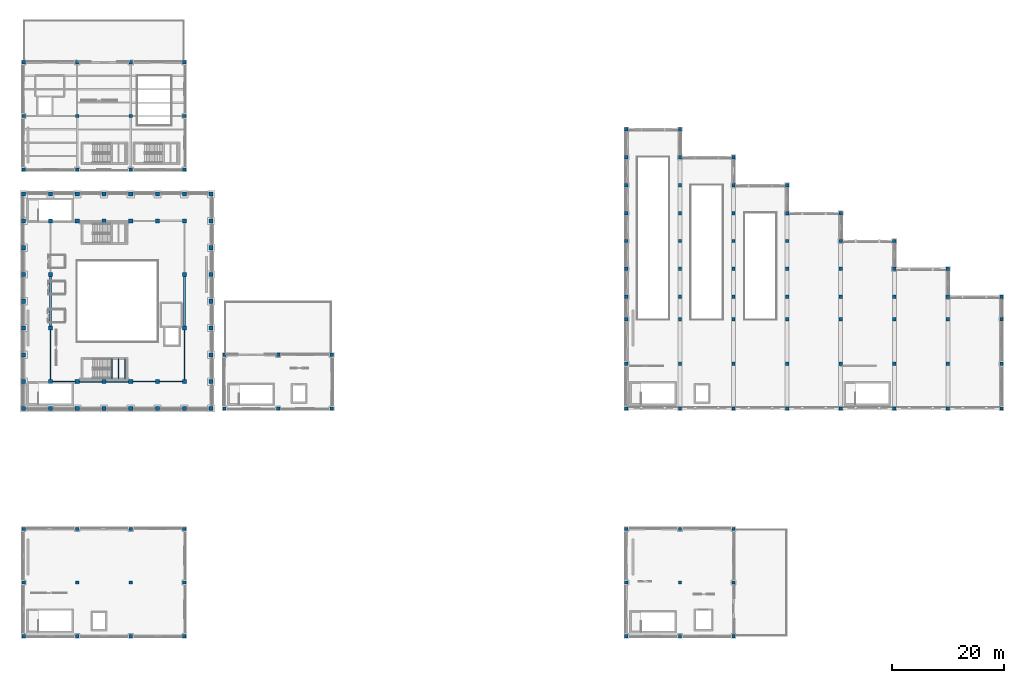
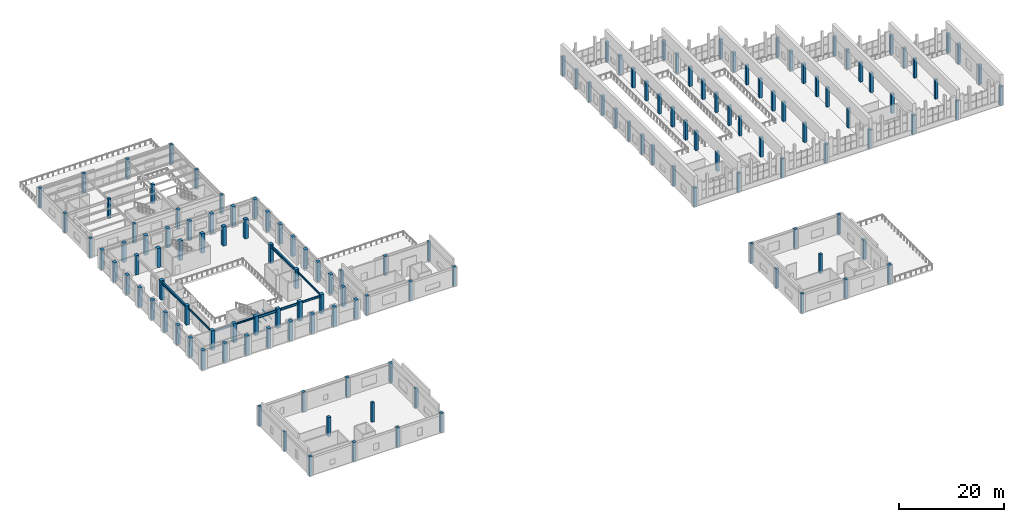
# One storey, part 1 of 46: 144 columns, 12 beams.
"""IFC4 building model written with IfcOpenShell, lengths in metres."""

from ifc_helpers import new_model, si_unit, direction, frame, origin, origin_2d, place, context, subcontext, project, spatial, rectangle, i_section, extrude, material, material_profile, profile_set, type_object, element, save


model = new_model("IFC4")

# Units and contexts
model_context = context("Model", 3, precision=1e-05, world=origin(), true_north=direction((0.0, 1.0)))
body_context = subcontext(model_context, "Body", "Model", "MODEL_VIEW")
ifc_project = project(units=[si_unit("LENGTHUNIT", "METRE"), si_unit("AREAUNIT", "SQUARE_METRE"), si_unit("VOLUMEUNIT", "CUBIC_METRE"), si_unit("PLANEANGLEUNIT", "RADIAN"), si_unit("MASSUNIT", "GRAM", prefix="KILO")], contexts=[model_context])

# Site, building, storey
site_placement = place(None, origin())
site = spatial("IfcSite", under=ifc_project, at=site_placement, CompositionType="ELEMENT")
building_placement = place(site_placement, origin())
building = spatial("IfcBuilding", under=site, at=building_placement, Name="Mavantir Sound Aquarium", CompositionType="ELEMENT")
storey_placement = place(building_placement, frame((0.0, 0.0, 15.300048828125)))
storey = spatial("IfcBuildingStorey", under=building, at=storey_placement, Name="L03", CompositionType="ELEMENT", Elevation=15.300048828125)

# Columns
ifc_material_1 = material(Name="Concrete C40/50", Category="concrete")
ifc_material_profile_1 = material_profile(ifc_material_1, rectangle(XDim=0.60009765625, YDim=0.60009765625, at=origin_2d()), Name="RC 600X600")
ifc_profile_set_1 = profile_set([ifc_material_profile_1], Name="Concrete C40/50")
column_type_1 = type_object("IfcColumnType", Name="COL-RC600-E", PredefinedType="COLUMN", material=ifc_profile_set_1)
for number, where, z_axis, x_axis, name in (
    (1, (0.0, 0.0, 0.0), (0.0, 0.0, 1.0), (1.0, 0.0, 0.0), "L03 column RC-C60 (V3)"),
    (2, (0.0, 9.60009765625, 0.0), (0.0, 0.0, 1.0), (1.0, 0.0, 0.0), "L03 column RC-C60 (V3)"),
    (3, (0.0, 19.199951171875, 0.0), (0.0, 0.0, 1.0), (1.0, 0.0, 0.0), "L03 column RC-C60 (V3)"),
    (4, (9.60009765625, 0.0, 0.0), (0.0, 0.0, 1.0), (1.0, 0.0, 0.0), "L03 column RC-C60 (V3)"),
    (5, (19.199951171875, 0.0, 0.0), (0.0, 0.0, 1.0), (1.0, 0.0, 0.0), "L03 column RC-C60 (V3)"),
    (6, (28.800048828125, 0.0, 0.0), (0.0, 0.0, 1.0), (1.0, 0.0, 0.0), "L03 column RC-C60 (V3)"),
    (7, (175.199951171875, 40.800048828125, 0.0), (0.0, 0.0, 1.0), (1.0, 0.0, 0.0), "L03 column RC-C60 (V4)"),
    (8, (175.199951171875, 48.800048828125, 0.0), (0.0, 0.0, 1.0), (1.0, 0.0, 0.0), "L03 column RC-C60 (V4)"),
    (9, (175.199951171875, 56.800048828125, 0.0), (0.0, 0.0, 1.0), (1.0, 0.0, 0.0), "L03 column RC-C60 (V4)"),
    (10, (175.199951171875, 60.800048828125, 0.0), (0.0, 0.0, 1.0), (1.0, 0.0, 0.0), "L03 column RC-C60 (V4)"),
    (11, (0.0, 83.60009765625, 0.0), (0.0, 0.0, 1.0), (1.0, 0.0, 0.0), "L03 column RC-C60 (V5)"),
    (12, (0.0, 93.199951171875, 0.0), (0.0, 0.0, 1.0), (1.0, 0.0, 0.0), "L03 column RC-C60 (V5)"),
    (13, (0.0, 102.800048828125, 0.0), (0.0, 0.0, 1.0), (1.0, 0.0, 0.0), "L03 column RC-C60 (V5)"),
    (14, (108.0, 0.0, 0.0), (0.0, 0.0, 1.0), (1.0, 0.0, 0.0), "L03 column RC-C60 (V6)"),
    (15, (117.60009765625, 0.0, 0.0), (0.0, 0.0, 1.0), (1.0, 0.0, 0.0), "L03 column RC-C60 (V6)"),
    (16, (127.199951171875, 0.0, 0.0), (0.0, 0.0, 1.0), (1.0, 0.0, 0.0), "L03 column RC-C60 (V6)"),
):
    element("IfcColumn", number, at=place(storey_placement, frame(where, z_axis=z_axis, x_axis=x_axis)), inside=storey, type_object=column_type_1, Name=name, PredefinedType="COLUMN", context=body_context, shape_type="SweptSolid", body=[
        extrude(rectangle(XDim=0.60009765625, YDim=0.60009765625, at=origin_2d()), origin(), (0.0, 0.0, 1.0), 4.5),
    ])
ifc_material_profile_2 = material_profile(ifc_material_1, rectangle(XDim=0.60009765625, YDim=0.60009765625, at=origin_2d()), Name="RC 600X600")
ifc_profile_set_2 = profile_set([ifc_material_profile_2], Name="Concrete C40/50")
column_type_2 = type_object("IfcColumnType", Name="COL-RC600-I", PredefinedType="COLUMN", material=ifc_profile_set_2)
for number, where, z_axis, x_axis, name in (
    (17, (36.0, 40.800048828125, 0.0), (0.0, 0.0, 1.0), (1.0, 0.0, 0.0), "L03 column RC-C60 (V2)"),
    (18, (36.0, 50.39990234375, 0.0), (0.0, 0.0, 1.0), (1.0, 0.0, 0.0), "L03 column RC-C60 (V2)"),
    (19, (45.60009765625, 40.800048828125, 0.0), (0.0, 0.0, 1.0), (1.0, 0.0, 0.0), "L03 column RC-C60 (V2)"),
    (20, (45.60009765625, 50.39990234375, 0.0), (0.0, 0.0, 1.0), (1.0, 0.0, 0.0), "L03 column RC-C60 (V2)"),
    (21, (55.199951171875, 40.800048828125, 0.0), (0.0, 0.0, 1.0), (1.0, 0.0, 0.0), "L03 column RC-C60 (V2)"),
    (22, (55.199951171875, 50.39990234375, 0.0), (0.0, 0.0, 1.0), (1.0, 0.0, 0.0), "L03 column RC-C60 (V2)"),
    (23, (9.60009765625, 9.60009765625, 0.0), (0.0, 0.0, 1.0), (1.0, 0.0, 0.0), "L03 column RC-C60 (V3)"),
    (24, (9.60009765625, 19.199951171875, 0.0), (0.0, 0.0, 1.0), (1.0, 0.0, 0.0), "L03 column RC-C60 (V3)"),
    (25, (19.199951171875, 9.60009765625, 0.0), (0.0, 0.0, 1.0), (1.0, 0.0, 0.0), "L03 column RC-C60 (V3)"),
    (26, (19.199951171875, 19.199951171875, 0.0), (0.0, 0.0, 1.0), (1.0, 0.0, 0.0), "L03 column RC-C60 (V3)"),
    (27, (28.800048828125, 9.60009765625, 0.0), (0.0, 0.0, 1.0), (1.0, 0.0, 0.0), "L03 column RC-C60 (V3)"),
    (28, (28.800048828125, 19.199951171875, 0.0), (0.0, 0.0, 1.0), (1.0, 0.0, 0.0), "L03 column RC-C60 (V3)"),
    (29, (108.0, 40.800048828125, 0.0), (0.0, 0.0, 1.0), (1.0, 0.0, 0.0), "L03 column RC-C60 (V4)"),
    (30, (108.0, 48.800048828125, 0.0), (0.0, 0.0, 1.0), (1.0, 0.0, 0.0), "L03 column RC-C60 (V4)"),
    (31, (108.0, 56.800048828125, 0.0), (0.0, 0.0, 1.0), (1.0, 0.0, 0.0), "L03 column RC-C60 (V4)"),
    (32, (108.0, 60.800048828125, 0.0), (0.0, 0.0, 1.0), (1.0, 0.0, 0.0), "L03 column RC-C60 (V4)"),
    (33, (108.0, 65.800048828125, 0.0), (0.0, 0.0, 1.0), (1.0, 0.0, 0.0), "L03 column RC-C60 (V4)"),
    (34, (108.0, 70.800048828125, 0.0), (0.0, 0.0, 1.0), (1.0, 0.0, 0.0), "L03 column RC-C60 (V4)"),
    (35, (108.0, 75.800048828125, 0.0), (0.0, 0.0, 1.0), (1.0, 0.0, 0.0), "L03 column RC-C60 (V4)"),
    (36, (108.0, 80.800048828125, 0.0), (0.0, 0.0, 1.0), (1.0, 0.0, 0.0), "L03 column RC-C60 (V4)"),
    (37, (108.0, 85.800048828125, 0.0), (0.0, 0.0, 1.0), (1.0, 0.0, 0.0), "L03 column RC-C60 (V4)"),
    (38, (108.0, 90.800048828125, 0.0), (0.0, 0.0, 1.0), (1.0, 0.0, 0.0), "L03 column RC-C60 (V4)"),
    (39, (117.60009765625, 40.800048828125, 0.0), (0.0, 0.0, 1.0), (1.0, 0.0, 0.0), "L03 column RC-C60 (V4)"),
    (40, (117.60009765625, 48.800048828125, 0.0), (0.0, 0.0, 1.0), (1.0, 0.0, 0.0), "L03 column RC-C60 (V4)"),
    (41, (117.60009765625, 56.800048828125, 0.0), (0.0, 0.0, 1.0), (1.0, 0.0, 0.0), "L03 column RC-C60 (V4)"),
    (42, (117.60009765625, 60.800048828125, 0.0), (0.0, 0.0, 1.0), (1.0, 0.0, 0.0), "L03 column RC-C60 (V4)"),
    (43, (117.60009765625, 65.800048828125, 0.0), (0.0, 0.0, 1.0), (1.0, 0.0, 0.0), "L03 column RC-C60 (V4)"),
    (44, (117.60009765625, 70.800048828125, 0.0), (0.0, 0.0, 1.0), (1.0, 0.0, 0.0), "L03 column RC-C60 (V4)"),
    (45, (117.60009765625, 75.800048828125, 0.0), (0.0, 0.0, 1.0), (1.0, 0.0, 0.0), "L03 column RC-C60 (V4)"),
    (46, (117.60009765625, 80.800048828125, 0.0), (0.0, 0.0, 1.0), (1.0, 0.0, 0.0), "L03 column RC-C60 (V4)"),
    (47, (117.60009765625, 85.800048828125, 0.0), (0.0, 0.0, 1.0), (1.0, 0.0, 0.0), "L03 column RC-C60 (V4)"),
    (48, (117.60009765625, 90.800048828125, 0.0), (0.0, 0.0, 1.0), (1.0, 0.0, 0.0), "L03 column RC-C60 (V4)"),
    (49, (127.199951171875, 40.800048828125, 0.0), (0.0, 0.0, 1.0), (1.0, 0.0, 0.0), "L03 column RC-C60 (V4)"),
    (50, (127.199951171875, 48.800048828125, 0.0), (0.0, 0.0, 1.0), (1.0, 0.0, 0.0), "L03 column RC-C60 (V4)"),
    (51, (127.199951171875, 56.800048828125, 0.0), (0.0, 0.0, 1.0), (1.0, 0.0, 0.0), "L03 column RC-C60 (V4)"),
    (52, (127.199951171875, 60.800048828125, 0.0), (0.0, 0.0, 1.0), (1.0, 0.0, 0.0), "L03 column RC-C60 (V4)"),
    (53, (127.199951171875, 65.800048828125, 0.0), (0.0, 0.0, 1.0), (1.0, 0.0, 0.0), "L03 column RC-C60 (V4)"),
    (54, (127.199951171875, 70.800048828125, 0.0), (0.0, 0.0, 1.0), (1.0, 0.0, 0.0), "L03 column RC-C60 (V4)"),
    (55, (127.199951171875, 75.800048828125, 0.0), (0.0, 0.0, 1.0), (1.0, 0.0, 0.0), "L03 column RC-C60 (V4)"),
    (56, (127.199951171875, 80.800048828125, 0.0), (0.0, 0.0, 1.0), (1.0, 0.0, 0.0), "L03 column RC-C60 (V4)"),
    (57, (127.199951171875, 85.800048828125, 0.0), (0.0, 0.0, 1.0), (1.0, 0.0, 0.0), "L03 column RC-C60 (V4)"),
    (58, (136.800048828125, 40.800048828125, 0.0), (0.0, 0.0, 1.0), (1.0, 0.0, 0.0), "L03 column RC-C60 (V4)"),
    (59, (136.800048828125, 48.800048828125, 0.0), (0.0, 0.0, 1.0), (1.0, 0.0, 0.0), "L03 column RC-C60 (V4)"),
    (60, (136.800048828125, 56.800048828125, 0.0), (0.0, 0.0, 1.0), (1.0, 0.0, 0.0), "L03 column RC-C60 (V4)"),
    (61, (136.800048828125, 60.800048828125, 0.0), (0.0, 0.0, 1.0), (1.0, 0.0, 0.0), "L03 column RC-C60 (V4)"),
    (62, (136.800048828125, 65.800048828125, 0.0), (0.0, 0.0, 1.0), (1.0, 0.0, 0.0), "L03 column RC-C60 (V4)"),
    (63, (136.800048828125, 70.800048828125, 0.0), (0.0, 0.0, 1.0), (1.0, 0.0, 0.0), "L03 column RC-C60 (V4)"),
    (64, (136.800048828125, 75.800048828125, 0.0), (0.0, 0.0, 1.0), (1.0, 0.0, 0.0), "L03 column RC-C60 (V4)"),
    (65, (136.800048828125, 80.800048828125, 0.0), (0.0, 0.0, 1.0), (1.0, 0.0, 0.0), "L03 column RC-C60 (V4)"),
    (66, (146.39990234375, 40.800048828125, 0.0), (0.0, 0.0, 1.0), (1.0, 0.0, 0.0), "L03 column RC-C60 (V4)"),
    (67, (146.39990234375, 48.800048828125, 0.0), (0.0, 0.0, 1.0), (1.0, 0.0, 0.0), "L03 column RC-C60 (V4)"),
    (68, (146.39990234375, 56.800048828125, 0.0), (0.0, 0.0, 1.0), (1.0, 0.0, 0.0), "L03 column RC-C60 (V4)"),
    (69, (146.39990234375, 60.800048828125, 0.0), (0.0, 0.0, 1.0), (1.0, 0.0, 0.0), "L03 column RC-C60 (V4)"),
    (70, (146.39990234375, 65.800048828125, 0.0), (0.0, 0.0, 1.0), (1.0, 0.0, 0.0), "L03 column RC-C60 (V4)"),
    (71, (146.39990234375, 70.800048828125, 0.0), (0.0, 0.0, 1.0), (1.0, 0.0, 0.0), "L03 column RC-C60 (V4)"),
    (72, (146.39990234375, 75.800048828125, 0.0), (0.0, 0.0, 1.0), (1.0, 0.0, 0.0), "L03 column RC-C60 (V4)"),
    (73, (156.0, 40.800048828125, 0.0), (0.0, 0.0, 1.0), (1.0, 0.0, 0.0), "L03 column RC-C60 (V4)"),
    (74, (156.0, 48.800048828125, 0.0), (0.0, 0.0, 1.0), (1.0, 0.0, 0.0), "L03 column RC-C60 (V4)"),
    (75, (156.0, 56.800048828125, 0.0), (0.0, 0.0, 1.0), (1.0, 0.0, 0.0), "L03 column RC-C60 (V4)"),
    (76, (156.0, 60.800048828125, 0.0), (0.0, 0.0, 1.0), (1.0, 0.0, 0.0), "L03 column RC-C60 (V4)"),
    (77, (156.0, 65.800048828125, 0.0), (0.0, 0.0, 1.0), (1.0, 0.0, 0.0), "L03 column RC-C60 (V4)"),
    (78, (156.0, 70.800048828125, 0.0), (0.0, 0.0, 1.0), (1.0, 0.0, 0.0), "L03 column RC-C60 (V4)"),
    (79, (165.60009765625, 40.800048828125, 0.0), (0.0, 0.0, 1.0), (1.0, 0.0, 0.0), "L03 column RC-C60 (V4)"),
    (80, (165.60009765625, 48.800048828125, 0.0), (0.0, 0.0, 1.0), (1.0, 0.0, 0.0), "L03 column RC-C60 (V4)"),
    (81, (165.60009765625, 56.800048828125, 0.0), (0.0, 0.0, 1.0), (1.0, 0.0, 0.0), "L03 column RC-C60 (V4)"),
    (82, (165.60009765625, 60.800048828125, 0.0), (0.0, 0.0, 1.0), (1.0, 0.0, 0.0), "L03 column RC-C60 (V4)"),
    (83, (165.60009765625, 65.800048828125, 0.0), (0.0, 0.0, 1.0), (1.0, 0.0, 0.0), "L03 column RC-C60 (V4)"),
    (84, (9.60009765625, 83.60009765625, 0.0), (0.0, 0.0, 1.0), (1.0, 0.0, 0.0), "L03 column RC-C60 (V5)"),
    (85, (9.60009765625, 93.199951171875, 0.0), (0.0, 0.0, 1.0), (1.0, 0.0, 0.0), "L03 column RC-C60 (V5)"),
    (86, (9.60009765625, 102.800048828125, 0.0), (0.0, 0.0, 1.0), (1.0, 0.0, 0.0), "L03 column RC-C60 (V5)"),
    (87, (19.199951171875, 83.60009765625, 0.0), (0.0, 0.0, 1.0), (1.0, 0.0, 0.0), "L03 column RC-C60 (V5)"),
    (88, (19.199951171875, 93.199951171875, 0.0), (0.0, 0.0, 1.0), (1.0, 0.0, 0.0), "L03 column RC-C60 (V5)"),
    (89, (19.199951171875, 102.800048828125, 0.0), (0.0, 0.0, 1.0), (1.0, 0.0, 0.0), "L03 column RC-C60 (V5)"),
    (90, (28.800048828125, 83.60009765625, 0.0), (0.0, 0.0, 1.0), (1.0, 0.0, 0.0), "L03 column RC-C60 (V5)"),
    (91, (28.800048828125, 93.199951171875, 0.0), (0.0, 0.0, 1.0), (1.0, 0.0, 0.0), "L03 column RC-C60 (V5)"),
    (92, (28.800048828125, 102.800048828125, 0.0), (0.0, 0.0, 1.0), (1.0, 0.0, 0.0), "L03 column RC-C60 (V5)"),
    (93, (108.0, 9.60009765625, 0.0), (0.0, 0.0, 1.0), (1.0, 0.0, 0.0), "L03 column RC-C60 (V6)"),
    (94, (108.0, 19.199951171875, 0.0), (0.0, 0.0, 1.0), (1.0, 0.0, 0.0), "L03 column RC-C60 (V6)"),
    (95, (117.60009765625, 9.60009765625, 0.0), (0.0, 0.0, 1.0), (1.0, 0.0, 0.0), "L03 column RC-C60 (V6)"),
    (96, (117.60009765625, 19.199951171875, 0.0), (0.0, 0.0, 1.0), (1.0, 0.0, 0.0), "L03 column RC-C60 (V6)"),
    (97, (127.199951171875, 9.60009765625, 0.0), (0.0, 0.0, 1.0), (1.0, 0.0, 0.0), "L03 column RC-C60 (V6)"),
    (98, (127.199951171875, 19.199951171875, 0.0), (0.0, 0.0, 1.0), (1.0, 0.0, 0.0), "L03 column RC-C60 (V6)"),
):
    element("IfcColumn", number, at=place(storey_placement, frame(where, z_axis=z_axis, x_axis=x_axis)), inside=storey, type_object=column_type_2, Name=name, PredefinedType="COLUMN", context=body_context, shape_type="SweptSolid", body=[
        extrude(rectangle(XDim=0.60009765625, YDim=0.60009765625, at=origin_2d()), origin(), (0.0, 0.0, 1.0), 4.5),
    ])
ifc_material_profile_3 = material_profile(ifc_material_1, rectangle(XDim=0.75, YDim=0.75, at=origin_2d()), Name="RC 750X750")
ifc_profile_set_3 = profile_set([ifc_material_profile_3], Name="Concrete C40/50")
column_type_3 = type_object("IfcColumnType", Name="COL-RC750-E", PredefinedType="COLUMN", material=ifc_profile_set_3)
for number, where, z_axis, x_axis, name in (
    (99, (0.0, 40.800048828125, 0.0), (0.0, 0.0, 1.0), (1.0, 0.0, 0.0), "L03 column RC-C75 (V1)"),
    (100, (0.0, 45.60009765625, 0.0), (0.0, 0.0, 1.0), (1.0, 0.0, 0.0), "L03 column RC-C75 (V1)"),
    (101, (0.0, 50.39990234375, 0.0), (0.0, 0.0, 1.0), (1.0, 0.0, 0.0), "L03 column RC-C75 (V1)"),
    (102, (0.0, 55.199951171875, 0.0), (0.0, 0.0, 1.0), (1.0, 0.0, 0.0), "L03 column RC-C75 (V1)"),
    (103, (0.0, 60.0, 0.0), (0.0, 0.0, 1.0), (1.0, 0.0, 0.0), "L03 column RC-C75 (V1)"),
    (104, (0.0, 64.800048828125, 0.0), (0.0, 0.0, 1.0), (1.0, 0.0, 0.0), "L03 column RC-C75 (V1)"),
    (105, (0.0, 69.60009765625, 0.0), (0.0, 0.0, 1.0), (1.0, 0.0, 0.0), "L03 column RC-C75 (V1)"),
    (106, (0.0, 74.39990234375, 0.0), (0.0, 0.0, 1.0), (1.0, 0.0, 0.0), "L03 column RC-C75 (V1)"),
    (107, (0.0, 79.199951171875, 0.0), (0.0, 0.0, 1.0), (1.0, 0.0, 0.0), "L03 column RC-C75 (V1)"),
):
    element("IfcColumn", number, at=place(storey_placement, frame(where, z_axis=z_axis, x_axis=x_axis)), inside=storey, type_object=column_type_3, Name=name, PredefinedType="COLUMN", context=body_context, shape_type="SweptSolid", body=[
        extrude(rectangle(XDim=0.75, YDim=0.75, at=origin_2d()), origin(), (0.0, 0.0, 1.0), 4.5),
    ])
ifc_material_profile_4 = material_profile(ifc_material_1, rectangle(XDim=0.75, YDim=0.75, at=origin_2d()), Name="RC 750X750")
ifc_profile_set_4 = profile_set([ifc_material_profile_4], Name="Concrete C40/50")
column_type_4 = type_object("IfcColumnType", Name="COL-RC750-I", PredefinedType="COLUMN", material=ifc_profile_set_4)
for number, where, z_axis, x_axis, name in (
    (108, (4.800048828125, 40.800048828125, 0.0), (0.0, 0.0, 1.0), (1.0, 0.0, 0.0), "L03 column RC-C75 (V1)"),
    (109, (4.800048828125, 45.60009765625, 0.0), (0.0, 0.0, 1.0), (1.0, 0.0, 0.0), "L03 column RC-C75 (V1)"),
    (110, (4.800048828125, 55.199951171875, 0.0), (0.0, 0.0, 1.0), (1.0, 0.0, 0.0), "L03 column RC-C75 (V1)"),
    (111, (4.800048828125, 64.800048828125, 0.0), (0.0, 0.0, 1.0), (1.0, 0.0, 0.0), "L03 column RC-C75 (V1)"),
    (112, (4.800048828125, 74.39990234375, 0.0), (0.0, 0.0, 1.0), (1.0, 0.0, 0.0), "L03 column RC-C75 (V1)"),
    (113, (4.800048828125, 79.199951171875, 0.0), (0.0, 0.0, 1.0), (1.0, 0.0, 0.0), "L03 column RC-C75 (V1)"),
    (114, (9.60009765625, 40.800048828125, 0.0), (0.0, 0.0, 1.0), (1.0, 0.0, 0.0), "L03 column RC-C75 (V1)"),
    (115, (9.60009765625, 45.60009765625, 0.0), (0.0, 0.0, 1.0), (1.0, 0.0, 0.0), "L03 column RC-C75 (V1)"),
    (116, (9.60009765625, 74.39990234375, 0.0), (0.0, 0.0, 1.0), (1.0, 0.0, 0.0), "L03 column RC-C75 (V1)"),
    (117, (9.60009765625, 79.199951171875, 0.0), (0.0, 0.0, 1.0), (1.0, 0.0, 0.0), "L03 column RC-C75 (V1)"),
    (118, (14.39990234375, 40.800048828125, 0.0), (0.0, 0.0, 1.0), (1.0, 0.0, 0.0), "L03 column RC-C75 (V1)"),
    (119, (14.39990234375, 45.60009765625, 0.0), (0.0, 0.0, 1.0), (1.0, 0.0, 0.0), "L03 column RC-C75 (V1)"),
    (120, (14.39990234375, 74.39990234375, 0.0), (0.0, 0.0, 1.0), (1.0, 0.0, 0.0), "L03 column RC-C75 (V1)"),
    (121, (14.39990234375, 79.199951171875, 0.0), (0.0, 0.0, 1.0), (1.0, 0.0, 0.0), "L03 column RC-C75 (V1)"),
    (122, (19.199951171875, 40.800048828125, 0.0), (0.0, 0.0, 1.0), (1.0, 0.0, 0.0), "L03 column RC-C75 (V1)"),
    (123, (19.199951171875, 45.60009765625, 0.0), (0.0, 0.0, 1.0), (1.0, 0.0, 0.0), "L03 column RC-C75 (V1)"),
    (124, (19.199951171875, 74.39990234375, 0.0), (0.0, 0.0, 1.0), (1.0, 0.0, 0.0), "L03 column RC-C75 (V1)"),
    (125, (19.199951171875, 79.199951171875, 0.0), (0.0, 0.0, 1.0), (1.0, 0.0, 0.0), "L03 column RC-C75 (V1)"),
    (126, (24.0, 40.800048828125, 0.0), (0.0, 0.0, 1.0), (1.0, 0.0, 0.0), "L03 column RC-C75 (V1)"),
    (127, (24.0, 45.60009765625, 0.0), (0.0, 0.0, 1.0), (1.0, 0.0, 0.0), "L03 column RC-C75 (V1)"),
    (128, (24.0, 74.39990234375, 0.0), (0.0, 0.0, 1.0), (1.0, 0.0, 0.0), "L03 column RC-C75 (V1)"),
    (129, (24.0, 79.199951171875, 0.0), (0.0, 0.0, 1.0), (1.0, 0.0, 0.0), "L03 column RC-C75 (V1)"),
    (130, (28.800048828125, 40.800048828125, 0.0), (0.0, 0.0, 1.0), (1.0, 0.0, 0.0), "L03 column RC-C75 (V1)"),
    (131, (28.800048828125, 45.60009765625, 0.0), (0.0, 0.0, 1.0), (1.0, 0.0, 0.0), "L03 column RC-C75 (V1)"),
    (132, (28.800048828125, 55.199951171875, 0.0), (0.0, 0.0, 1.0), (1.0, 0.0, 0.0), "L03 column RC-C75 (V1)"),
    (133, (28.800048828125, 64.800048828125, 0.0), (0.0, 0.0, 1.0), (1.0, 0.0, 0.0), "L03 column RC-C75 (V1)"),
    (134, (28.800048828125, 74.39990234375, 0.0), (0.0, 0.0, 1.0), (1.0, 0.0, 0.0), "L03 column RC-C75 (V1)"),
    (135, (28.800048828125, 79.199951171875, 0.0), (0.0, 0.0, 1.0), (1.0, 0.0, 0.0), "L03 column RC-C75 (V1)"),
    (136, (33.60009765625, 40.800048828125, 0.0), (0.0, 0.0, 1.0), (1.0, 0.0, 0.0), "L03 column RC-C75 (V1)"),
    (137, (33.60009765625, 45.60009765625, 0.0), (0.0, 0.0, 1.0), (1.0, 0.0, 0.0), "L03 column RC-C75 (V1)"),
    (138, (33.60009765625, 50.39990234375, 0.0), (0.0, 0.0, 1.0), (1.0, 0.0, 0.0), "L03 column RC-C75 (V1)"),
    (139, (33.60009765625, 55.199951171875, 0.0), (0.0, 0.0, 1.0), (1.0, 0.0, 0.0), "L03 column RC-C75 (V1)"),
    (140, (33.60009765625, 60.0, 0.0), (0.0, 0.0, 1.0), (1.0, 0.0, 0.0), "L03 column RC-C75 (V1)"),
    (141, (33.60009765625, 64.800048828125, 0.0), (0.0, 0.0, 1.0), (1.0, 0.0, 0.0), "L03 column RC-C75 (V1)"),
    (142, (33.60009765625, 69.60009765625, 0.0), (0.0, 0.0, 1.0), (1.0, 0.0, 0.0), "L03 column RC-C75 (V1)"),
    (143, (33.60009765625, 74.39990234375, 0.0), (0.0, 0.0, 1.0), (1.0, 0.0, 0.0), "L03 column RC-C75 (V1)"),
    (144, (33.60009765625, 79.199951171875, 0.0), (0.0, 0.0, 1.0), (1.0, 0.0, 0.0), "L03 column RC-C75 (V1)"),
):
    element("IfcColumn", number, at=place(storey_placement, frame(where, z_axis=z_axis, x_axis=x_axis)), inside=storey, type_object=column_type_4, Name=name, PredefinedType="COLUMN", context=body_context, shape_type="SweptSolid", body=[
        extrude(rectangle(XDim=0.75, YDim=0.75, at=origin_2d()), origin(), (0.0, 0.0, 1.0), 4.5),
    ])

# Beams
ifc_material_2 = material(Name="Structural Steel ASTM A992 Gr50", Category="steel")
ifc_material_profile_5 = material_profile(ifc_material_2, i_section(OverallWidth=0.202880859375, OverallDepth=0.202880859375, WebThickness=0.007080078125, FlangeThickness=0.010986328125, FilletRadius=0.010009765625, at=origin_2d()), Name="W200X46")
ifc_profile_set_5 = profile_set([ifc_material_profile_5], Name="Structural Steel ASTM A992 Gr50")
beam_type_1 = type_object("IfcBeamType", Name="BM-W200X46-I", PredefinedType="LINTEL", material=ifc_profile_set_5)
for number, where, z_axis, x_axis, name in (
    (145, (15.81005859375, 46.074951171875, 1.945556640625), (0.0, 1.0, 0.0), (-1.0, 0.0, 0.0), "Stair ST9 landing support beam 31"),
    (146, (16.9951171875, 46.074951171875, 1.945556640625), (0.0, 1.0, 0.0), (-1.0, 0.0, 0.0), "Stair ST9 landing support beam 32"),
    (147, (18.179931640625, 46.074951171875, 1.945556640625), (0.0, 1.0, 0.0), (-1.0, 0.0, 0.0), "Stair ST9 landing support beam 33"),
):
    element("IfcBeam", number, at=place(storey_placement, frame(where, z_axis=z_axis, x_axis=x_axis)), inside=storey, type_object=beam_type_1, Name=name, PredefinedType="LINTEL", context=body_context, shape_type="SweptSolid", body=[
        extrude(i_section(OverallWidth=0.202880859375, OverallDepth=0.202880859375, WebThickness=0.007080078125, FlangeThickness=0.010986328125, FilletRadius=0.010009765625, at=origin_2d()), origin(), (0.0, 0.0, 1.0), 3.699951171875),
    ])
ifc_material_profile_6 = material_profile(ifc_material_2, i_section(OverallWidth=0.257080078125, OverallDepth=0.363037109375, WebThickness=0.012939453125, FlangeThickness=0.021728515625, FilletRadius=0.014892578125, at=origin_2d()), Name="W360X122")
ifc_profile_set_6 = profile_set([ifc_material_profile_6], Name="Structural Steel ASTM A992 Gr50")
beam_type_2 = type_object("IfcBeamType", Name="BM-W360X122-I", PredefinedType="BEAM", material=ifc_profile_set_6)
beam_1_placement = place(storey_placement, frame((9.97509765625, 45.60009765625, 4.034423828125), z_axis=(1.0, 0.0, 0.0), x_axis=(0.0, 1.0, 0.0)))
element("IfcBeam", 148, at=beam_1_placement, inside=storey, type_object=beam_type_2, Name="L03 primary beam SB-36A 1644", PredefinedType="BEAM", context=body_context, shape_type="SweptSolid", body=[
    extrude(i_section(OverallWidth=0.257080078125, OverallDepth=0.363037109375, WebThickness=0.012939453125, FlangeThickness=0.021728515625, FilletRadius=0.014892578125, at=origin_2d()), origin(), (0.0, 0.0, 1.0), 4.0498046875),
])
ifc_material_profile_7 = material_profile(ifc_material_2, i_section(OverallWidth=0.194091796875, OverallDepth=0.468994140625, WebThickness=0.0126953125, FlangeThickness=0.0205078125, FilletRadius=0.01611328125, at=origin_2d()), Name="W460X106")
ifc_profile_set_7 = profile_set([ifc_material_profile_7], Name="Structural Steel ASTM A992 Gr50")
beam_type_3 = type_object("IfcBeamType", Name="BM-W460X106-I", PredefinedType="BEAM", material=ifc_profile_set_7)
for number, where, z_axis, x_axis, name in (
    (149, (5.175048828125, 45.60009765625, 3.9814453125), (1.0, 0.0, 0.0), (0.0, 1.0, 0.0), "L03 primary beam SB-46 1643"),
    (150, (24.375, 45.60009765625, 3.9814453125), (1.0, 0.0, 0.0), (0.0, 1.0, 0.0), "L03 primary beam SB-46 1647"),
):
    element("IfcBeam", number, at=place(storey_placement, frame(where, z_axis=z_axis, x_axis=x_axis)), inside=storey, type_object=beam_type_3, Name=name, PredefinedType="BEAM", context=body_context, shape_type="SweptSolid", body=[
        extrude(i_section(OverallWidth=0.194091796875, OverallDepth=0.468994140625, WebThickness=0.0126953125, FlangeThickness=0.0205078125, FilletRadius=0.01611328125, at=origin_2d()), origin(), (0.0, 0.0, 1.0), 4.050048828125),
    ])
for number, where, z_axis, x_axis, name in (
    (151, (4.800048828125, 45.97509765625, 3.9814453125), (0.0, 1.0, 0.0), (-1.0, 0.0, 0.0), "L03 primary girder SB-46 1653"),
    (152, (28.800048828125, 45.97509765625, 3.9814453125), (0.0, 1.0, 0.0), (-1.0, 0.0, 0.0), "L03 primary girder SB-46 1656"),
):
    element("IfcBeam", number, at=place(storey_placement, frame(where, z_axis=z_axis, x_axis=x_axis)), inside=storey, type_object=beam_type_3, Name=name, PredefinedType="BEAM", context=body_context, shape_type="SweptSolid", body=[
        extrude(i_section(OverallWidth=0.194091796875, OverallDepth=0.468994140625, WebThickness=0.0126953125, FlangeThickness=0.0205078125, FilletRadius=0.01611328125, at=origin_2d()), origin(), (0.0, 0.0, 1.0), 8.849853515625),
    ])
ifc_material_profile_8 = material_profile(ifc_material_2, i_section(OverallWidth=0.2119140625, OverallDepth=0.5439453125, WebThickness=0.01318359375, FlangeThickness=0.021240234375, FilletRadius=0.01806640625, at=origin_2d()), Name="W530X123")
ifc_profile_set_8 = profile_set([ifc_material_profile_8], Name="Structural Steel ASTM A992 Gr50")
beam_type_4 = type_object("IfcBeamType", Name="BM-W530X123-I", PredefinedType="BEAM", material=ifc_profile_set_8)
beam_2_placement = place(storey_placement, frame((19.574951171875, 45.60009765625, 3.94384765625), z_axis=(1.0, 0.0, 0.0), x_axis=(0.0, 1.0, 0.0)))
element("IfcBeam", 153, at=beam_2_placement, inside=storey, type_object=beam_type_4, Name="L03 primary beam SB-53 1646", PredefinedType="BEAM", context=body_context, shape_type="SweptSolid", body=[
    extrude(i_section(OverallWidth=0.2119140625, OverallDepth=0.5439453125, WebThickness=0.01318359375, FlangeThickness=0.021240234375, FilletRadius=0.01806640625, at=origin_2d()), origin(), (0.0, 0.0, 1.0), 4.050048828125),
])
ifc_material_profile_9 = material_profile(ifc_material_2, i_section(OverallWidth=0.22900390625, OverallDepth=0.612060546875, WebThickness=0.011962890625, FlangeThickness=0.01953125, FilletRadius=0.01904296875, at=origin_2d()), Name="W610X125")
ifc_profile_set_9 = profile_set([ifc_material_profile_9], Name="Structural Steel ASTM A992 Gr50")
beam_type_5 = type_object("IfcBeamType", Name="BM-W610X125-I", PredefinedType="BEAM", material=ifc_profile_set_9)
beam_3_placement = place(storey_placement, frame((14.77490234375, 45.60009765625, 3.909912109375), z_axis=(1.0, 0.0, 0.0), x_axis=(0.0, 1.0, 0.0)))
element("IfcBeam", 154, at=beam_3_placement, inside=storey, type_object=beam_type_5, Name="L03 primary beam SB-61B 1645", PredefinedType="BEAM", context=body_context, shape_type="SweptSolid", body=[
    extrude(i_section(OverallWidth=0.22900390625, OverallDepth=0.612060546875, WebThickness=0.011962890625, FlangeThickness=0.01953125, FilletRadius=0.01904296875, at=origin_2d()), origin(), (0.0, 0.0, 1.0), 4.050048828125),
])
ifc_material_profile_10 = material_profile(ifc_material_2, i_section(OverallWidth=0.323974609375, OverallDepth=0.611083984375, WebThickness=0.0126953125, FlangeThickness=0.01904296875, FilletRadius=0.01904296875, at=origin_2d()), Name="W610X155")
ifc_profile_set_10 = profile_set([ifc_material_profile_10], Name="Structural Steel ASTM A992 Gr50")
beam_type_6 = type_object("IfcBeamType", Name="BM-W610X155-I", PredefinedType="BEAM", material=ifc_profile_set_10)
for number, where, z_axis, x_axis, name in (
    (155, (4.800048828125, 55.574951171875, 3.910400390625), (0.0, 1.0, 0.0), (-1.0, 0.0, 0.0), "L03 primary girder SB-61A 1654"),
    (156, (28.800048828125, 55.574951171875, 3.910400390625), (0.0, 1.0, 0.0), (-1.0, 0.0, 0.0), "L03 primary girder SB-61A 1657"),
):
    element("IfcBeam", number, at=place(storey_placement, frame(where, z_axis=z_axis, x_axis=x_axis)), inside=storey, type_object=beam_type_6, Name=name, PredefinedType="BEAM", context=body_context, shape_type="SweptSolid", body=[
        extrude(i_section(OverallWidth=0.323974609375, OverallDepth=0.611083984375, WebThickness=0.0126953125, FlangeThickness=0.01904296875, FilletRadius=0.01904296875, at=origin_2d()), origin(), (0.0, 0.0, 1.0), 8.85009765625),
    ])

save(model, "model.ifc")
